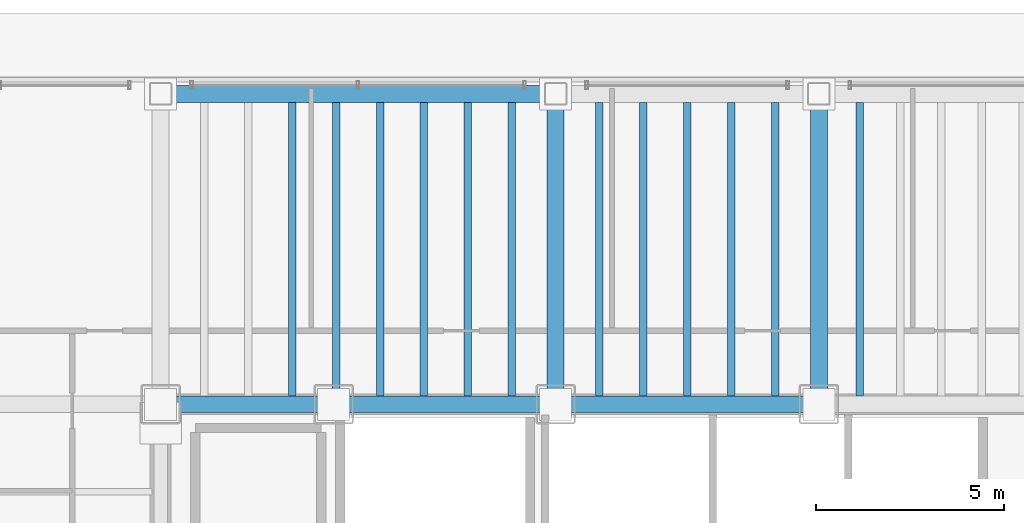
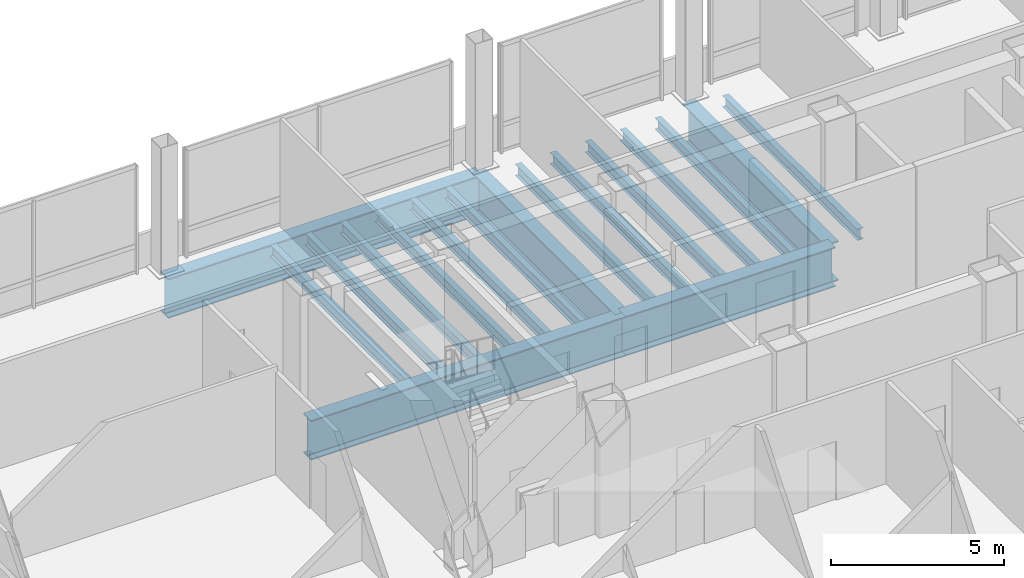
# One storey, part 18 of 34: 17 beams.
"""IFC4 building model written with IfcOpenShell, lengths in metres."""

import ifcopenshell
import ifcopenshell.guid

model = None  # the IFC model being written
_history = None  # IfcOwnerHistory: only IFC2X3 demands one
_inside = {}  # id of a spatial element -> (the spatial element, [elements in it])
_under = {}  # id of a project, library or spatial element -> (it, [spatial elements below it])
_declared = {}  # id of a project -> (the project, [libraries it declares])
_typed = {}  # id of a type object -> (the type object, [elements of that type])
_made_of = {}  # id of a material, layer set ... -> (it, [elements and type objects made of it])


def new_model(schema):
    """Start an empty IFC model of exactly this schema.

    Asked for "IFC4X3", IfcOpenShell would pick the latest addendum, in which some entities
    have other attributes; the version numbers below select the first issue.
    IFC2X3 requires an IfcOwnerHistory on every rooted entity: one is made here for all.
    """
    global model, _history
    if schema == "IFC4X3":
        model = ifcopenshell.file(schema_version=(4, 3, 0, 0))
    else:
        model = ifcopenshell.file(schema=schema)
    _inside.clear()
    _under.clear()
    _declared.clear()
    _typed.clear()
    _made_of.clear()
    _history = None
    if model.schema == "IFC2X3":
        org = make("IfcOrganization", Name="unknown")
        user = make(
            "IfcPersonAndOrganization",
            ThePerson=make("IfcPerson", FamilyName="unknown"),
            TheOrganization=org,
        )
        app = make(
            "IfcApplication",
            ApplicationDeveloper=org,
            Version="unknown",
            ApplicationFullName="unknown",
            ApplicationIdentifier="unknown",
        )
        _history = make(
            "IfcOwnerHistory",
            OwningUser=user,
            OwningApplication=app,
            ChangeAction="ADDED",
            CreationDate=0,
        )
    return model


def make(cls, **values):
    """One entity of the class cls with the attributes given. An attribute that is None is left unset."""
    return model.create_entity(
        cls, **{name: value for name, value in values.items() if value is not None}
    )


def rooted(cls, **values):
    """An entity with a GlobalId (a new one), such as an element, a storey or a relation."""
    return make(cls, GlobalId=ifcopenshell.guid.new(), OwnerHistory=_history, **values)


def si_unit(unit_type, name, prefix=None):
    """IfcSIUnit, for example si_unit("LENGTHUNIT", "METRE", prefix="MILLI")."""
    return make("IfcSIUnit", UnitType=unit_type, Prefix=prefix, Name=name)


def assignment(units):
    """IfcUnitAssignment: the units of a project."""
    return None if units is None else make("IfcUnitAssignment", Units=units)


def point(xyz):
    """IfcCartesianPoint."""
    return None if xyz is None else make("IfcCartesianPoint", Coordinates=xyz)


def direction(xyz):
    """IfcDirection."""
    return None if xyz is None else make("IfcDirection", DirectionRatios=xyz)


def frame(location, z_axis=None, x_axis=None):
    """IfcAxis2Placement3D, a coordinate frame: its origin and axes. An axis left out is left unset."""
    return make(
        "IfcAxis2Placement3D",
        Location=point(location),
        Axis=direction(z_axis),
        RefDirection=direction(x_axis),
    )


def frame_2d(location, x_axis=None):
    """IfcAxis2Placement2D, a coordinate frame in the plane: its origin and x axis."""
    return make(
        "IfcAxis2Placement2D", Location=point(location), RefDirection=direction(x_axis)
    )


def origin():
    """The frame at (0, 0, 0) with its axes left unset."""
    return frame((0.0, 0.0, 0.0))


def origin_2d():
    """The frame at (0, 0) in the plane with its x axis left unset."""
    return frame_2d((0.0, 0.0))


def place(relative_to, where):
    """IfcLocalPlacement: puts the frame where relative to a parent placement (None: the world)."""
    return make(
        "IfcLocalPlacement", PlacementRelTo=relative_to, RelativePlacement=where
    )


def context(
    kind, dimensions, precision=None, world=None, true_north=None, identifier=None
):
    """IfcGeometricRepresentationContext, for example the 3D "Model" context."""
    return make(
        "IfcGeometricRepresentationContext",
        ContextIdentifier=identifier,
        ContextType=kind,
        CoordinateSpaceDimension=dimensions,
        Precision=precision,
        WorldCoordinateSystem=world,
        TrueNorth=true_north,
    )


def subcontext(parent, identifier, kind, view, scale=None):
    """IfcGeometricRepresentationSubContext, for example "Body" below "Model"."""
    return make(
        "IfcGeometricRepresentationSubContext",
        ContextIdentifier=identifier,
        ContextType=kind,
        ParentContext=parent,
        TargetScale=scale,
        TargetView=view,
    )


def project(units=None, contexts=None):
    """IfcProject with its units and contexts."""
    return rooted(
        "IfcProject",
        Name="project",
        RepresentationContexts=contexts,
        UnitsInContext=assignment(units),
    )


def spatial(cls, under=None, at=None, **own):
    """A site, building, storey or space (cls), placed at a placement, below another one or the project."""
    s = rooted(cls, ObjectPlacement=at, **own)
    if under is not None:
        _under.setdefault(under.id(), (under, []))[1].append(s)
    return s


def profile(cls, at=None, kind="AREA", **sizes):
    """A parametric profile (cls). Its sizes go by their IFC names, for example OverallWidth=200.0."""
    return make(cls, ProfileType=kind, Position=at, **sizes)


def i_section(**sizes):
    """IfcIShapeProfileDef."""
    return profile("IfcIShapeProfileDef", **sizes)


def extrude(swept, where, along, depth):
    """IfcExtrudedAreaSolid: the profile swept, set in the frame where, extruded along a direction by depth."""
    return make(
        "IfcExtrudedAreaSolid",
        SweptArea=swept,
        Position=where,
        ExtrudedDirection=direction(along),
        Depth=depth,
    )


def shape(context_of_items, identifier, shape_type, items):
    """IfcShapeRepresentation: the items that make up one representation, for example the "Body"."""
    return make(
        "IfcShapeRepresentation",
        ContextOfItems=context_of_items,
        RepresentationIdentifier=identifier,
        RepresentationType=shape_type,
        Items=items,
    )


def material(Name=None, Category=None):
    """IfcMaterial."""
    return make("IfcMaterial", Name=Name, Category=Category)


def material_profile(
    of_material, cross_section, Name=None, Category=None, Priority=None
):
    """IfcMaterialProfile: a cross section and its material."""
    return make(
        "IfcMaterialProfile",
        Name=Name,
        Material=of_material,
        Profile=cross_section,
        Priority=Priority,
        Category=Category,
    )


def profile_set(profiles, Name=None, composite=None):
    """IfcMaterialProfileSet."""
    return make(
        "IfcMaterialProfileSet",
        Name=Name,
        MaterialProfiles=profiles,
        CompositeProfile=composite,
    )


def made_of(thing, what):
    """Note that an element or type object is made of a material, layer set ...; save() writes the relation."""
    if what is not None:
        _made_of.setdefault(what.id(), (what, []))[1].append(thing)
    return thing


def type_object(cls, material=None, **own):
    """A type object (cls), such as IfcWallType, which elements share."""
    return made_of(rooted(cls, **own), material)


def element(
    cls,
    number,
    at=None,
    inside=None,
    cuts=None,
    type_object=None,
    material=None,
    context=None,
    identifier="Body",
    shape_type=None,
    held_by="IfcProductDefinitionShape",
    body=None,
    shapes=None,
    **own,
):
    """One element of the class cls, such as IfcWall. Its Tag is "e" and its number.

    at: its placement. inside: the storey or other place that contains it. cuts: it is an
    opening in that element (IfcRelVoidsElement). A single representation is given by context,
    identifier, shape_type and body (its items); several are given by shapes. held_by: the class
    of the entity that holds the representations. save() writes the other relations.
    """
    e = rooted(cls, Tag="e%d" % number, ObjectPlacement=at, **own)
    if body is not None:
        shapes = [shape(context, identifier, shape_type, body)]
    if shapes is not None:
        e.Representation = make(held_by, Representations=shapes)
    if inside is not None:
        _inside.setdefault(inside.id(), (inside, []))[1].append(e)
    if cuts is not None:
        rooted(
            "IfcRelVoidsElement", RelatingBuildingElement=cuts, RelatedOpeningElement=e
        )
    if type_object is not None:
        _typed.setdefault(type_object.id(), (type_object, []))[1].append(e)
    return made_of(e, material)


def aggregate(whole, parts):
    """IfcRelAggregates: a whole, such as a stair, and the parts it consists of."""
    return rooted("IfcRelAggregates", RelatingObject=whole, RelatedObjects=parts)


def save(model, path):
    """Write the relations noted so far, then the file.

    IfcRelAggregates (storeys below a building ...), IfcRelContainedInSpatialStructure (elements
    in a storey), IfcRelDefinesByType, IfcRelAssociatesMaterial and IfcRelDeclares: one each for
    every whole, place, type object, material and project.
    """
    for whole, parts in _under.values():
        aggregate(whole, parts)
    for where, things in _inside.values():
        rooted(
            "IfcRelContainedInSpatialStructure",
            RelatedElements=things,
            RelatingStructure=where,
        )
    for kind, things in _typed.values():
        rooted("IfcRelDefinesByType", RelatedObjects=things, RelatingType=kind)
    for what, things in _made_of.values():
        rooted("IfcRelAssociatesMaterial", RelatedObjects=things, RelatingMaterial=what)
    for by, libraries in _declared.values():
        rooted("IfcRelDeclares", RelatingContext=by, RelatedDefinitions=libraries)
    model.write(path)


model = new_model("IFC4")

# Units and contexts
model_context = context("Model", 3, precision=1e-05, world=origin(), true_north=direction((0.0, 1.0)))
body_context = subcontext(model_context, "Body", "Model", "MODEL_VIEW")
ifc_project = project(units=[si_unit("LENGTHUNIT", "METRE"), si_unit("AREAUNIT", "SQUARE_METRE"), si_unit("VOLUMEUNIT", "CUBIC_METRE"), si_unit("PLANEANGLEUNIT", "RADIAN"), si_unit("MASSUNIT", "GRAM", prefix="KILO")], contexts=[model_context])

# Site, building, storey
site_placement = place(None, origin())
site = spatial("IfcSite", under=ifc_project, at=site_placement, CompositionType="ELEMENT")
building_placement = place(site_placement, origin())
building = spatial("IfcBuilding", under=site, at=building_placement, Name="Noeulbin Bourse Tower", CompositionType="ELEMENT")
storey_placement = place(building_placement, frame((0.0, 0.0, 22.0)))
storey = spatial("IfcBuildingStorey", under=building, at=storey_placement, Name="L05", CompositionType="ELEMENT", Elevation=22.0)

# Beams
ifc_material_1 = material(Name="Steel S355", Category="steel")
ifc_material_profile_1 = material_profile(ifc_material_1, i_section(OverallWidth=0.199951171875, OverallDepth=0.39990234375, WebThickness=0.008056640625, FlangeThickness=0.012939453125, FilletRadius=0.01611328125, at=origin_2d()), Name="H-400x200x8x13", Category="LoadBearing")
ifc_profile_set_1 = profile_set([ifc_material_profile_1], Name="Steel S355")
beam_type_1 = type_object("IfcBeamType", Name="BM-SEC-400", PredefinedType="BEAM", material=ifc_profile_set_1)
for number, where, z_axis, x_axis, name in (
    (1, (17.0, 38.52490234375, -0.43994140625), (0.0, 1.0, 0.0), (-1.0, 0.0, 0.0), "Tower Composite Joist L05-09"),
    (2, (18.166748046875, 38.52490234375, -0.43994140625), (0.0, 1.0, 0.0), (-1.0, 0.0, 0.0), "Tower Composite Joist L05-12"),
    (3, (19.333251953125, 38.52490234375, -0.43994140625), (0.0, 1.0, 0.0), (-1.0, 0.0, 0.0), "Tower Composite Joist L05-15"),
    (4, (20.5, 38.52490234375, -0.43994140625), (0.0, 1.0, 0.0), (-1.0, 0.0, 0.0), "Tower Composite Joist L05-18"),
    (5, (21.666748046875, 38.52490234375, -0.43994140625), (0.0, 1.0, 0.0), (-1.0, 0.0, 0.0), "Tower Composite Joist L05-21"),
    (6, (22.833251953125, 38.52490234375, -0.43994140625), (0.0, 1.0, 0.0), (-1.0, 0.0, 0.0), "Tower Composite Joist L05-24"),
    (7, (25.166748046875, 38.52490234375, -0.43994140625), (0.0, 1.0, 0.0), (-1.0, 0.0, 0.0), "Tower Composite Joist L05-27"),
    (8, (26.333251953125, 38.52490234375, -0.43994140625), (0.0, 1.0, 0.0), (-1.0, 0.0, 0.0), "Tower Composite Joist L05-30"),
    (9, (27.5, 38.52490234375, -0.43994140625), (0.0, 1.0, 0.0), (-1.0, 0.0, 0.0), "Tower Composite Joist L05-33"),
    (10, (28.666748046875, 38.52490234375, -0.43994140625), (0.0, 1.0, 0.0), (-1.0, 0.0, 0.0), "Tower Composite Joist L05-36"),
    (11, (29.833251953125, 38.52490234375, -0.43994140625), (0.0, 1.0, 0.0), (-1.0, 0.0, 0.0), "Tower Composite Joist L05-39"),
    (12, (32.083251953125, 38.52490234375, -0.43994140625), (0.0, 1.0, 0.0), (-1.0, 0.0, 0.0), "Tower Composite Joist L05-42"),
):
    element("IfcBeam", number, at=place(storey_placement, frame(where, z_axis=z_axis, x_axis=x_axis)), inside=storey, type_object=beam_type_1, Name=name, PredefinedType="BEAM", context=body_context, shape_type="SweptSolid", body=[
        extrude(i_section(OverallWidth=0.199951171875, OverallDepth=0.39990234375, WebThickness=0.008056640625, FlangeThickness=0.012939453125, FilletRadius=0.01611328125, at=origin_2d()), origin(), (0.0, 0.0, 1.0), 7.800048828125),
    ])
ifc_material_2 = material(Name="Steel S460", Category="steel")
ifc_material_profile_2 = material_profile(ifc_material_2, i_section(OverallWidth=0.449951171875, OverallDepth=1.39990234375, WebThickness=0.02392578125, FlangeThickness=0.0400390625, FilletRadius=0.02392578125, at=origin_2d()), Name="PG-1400x450x24x40", Category="LoadBearing")
ifc_profile_set_2 = profile_set([ifc_material_profile_2], Name="Steel S460")
beam_type_2 = type_object("IfcBeamType", Name="BM-TRF-1400", PredefinedType="USERDEFINED", material=ifc_profile_set_2)
beam_1_placement = place(storey_placement, frame((13.5, 38.300048828125, -0.93994140625), z_axis=(1.0, 0.0, 0.0), x_axis=(0.0, 1.0, 0.0)))
element("IfcBeam", 13, at=beam_1_placement, inside=storey, type_object=beam_type_2, Name="Tower Primary Girder EW L05-3.2", ObjectType="GIRDER", PredefinedType="USERDEFINED", context=body_context, shape_type="SweptSolid", body=[
    extrude(i_section(OverallWidth=0.449951171875, OverallDepth=1.39990234375, WebThickness=0.02392578125, FlangeThickness=0.0400390625, FilletRadius=0.02392578125, at=origin_2d()), origin(), (0.0, 0.0, 1.0), 10.5),
])
beam_2_placement = place(storey_placement, frame((24.0, 38.300048828125, -0.93994140625), z_axis=(1.0, 0.0, 0.0), x_axis=(0.0, 1.0, 0.0)))
element("IfcBeam", 14, at=beam_2_placement, inside=storey, type_object=beam_type_2, Name="Tower Primary Girder EW L05-3.3", ObjectType="GIRDER", PredefinedType="USERDEFINED", context=body_context, shape_type="SweptSolid", body=[
    extrude(i_section(OverallWidth=0.449951171875, OverallDepth=1.39990234375, WebThickness=0.02392578125, FlangeThickness=0.0400390625, FilletRadius=0.02392578125, at=origin_2d()), origin(), (0.0, 0.0, 1.0), 7.0),
])
for number, where, z_axis, x_axis, name in (
    (15, (24.0, 38.300048828125, -0.93994140625), (0.0, 1.0, 0.0), (-1.0, 0.0, 0.0), "Tower Primary Girder NS L05-2.4"),
    (16, (31.0, 38.300048828125, -0.93994140625), (0.0, 1.0, 0.0), (-1.0, 0.0, 0.0), "Tower Primary Girder NS L05-3.4"),
):
    element("IfcBeam", number, at=place(storey_placement, frame(where, z_axis=z_axis, x_axis=x_axis)), inside=storey, type_object=beam_type_2, Name=name, ObjectType="GIRDER", PredefinedType="USERDEFINED", context=body_context, shape_type="SweptSolid", body=[
        extrude(i_section(OverallWidth=0.449951171875, OverallDepth=1.39990234375, WebThickness=0.02392578125, FlangeThickness=0.0400390625, FilletRadius=0.02392578125, at=origin_2d()), origin(), (0.0, 0.0, 1.0), 8.25),
    ])
beam_3_placement = place(storey_placement, frame((13.5, 46.550048828125, -0.93994140625), z_axis=(1.0, 0.0, 0.0), x_axis=(0.0, 1.0, 0.0)))
element("IfcBeam", 17, at=beam_3_placement, inside=storey, type_object=beam_type_2, Name="North Spandrel L05-1", ObjectType="GIRDER", PredefinedType="USERDEFINED", context=body_context, shape_type="SweptSolid", body=[
    extrude(i_section(OverallWidth=0.449951171875, OverallDepth=1.39990234375, WebThickness=0.02392578125, FlangeThickness=0.0400390625, FilletRadius=0.02392578125, at=origin_2d()), origin(), (0.0, 0.0, 1.0), 10.5),
])

save(model, "model.ifc")
